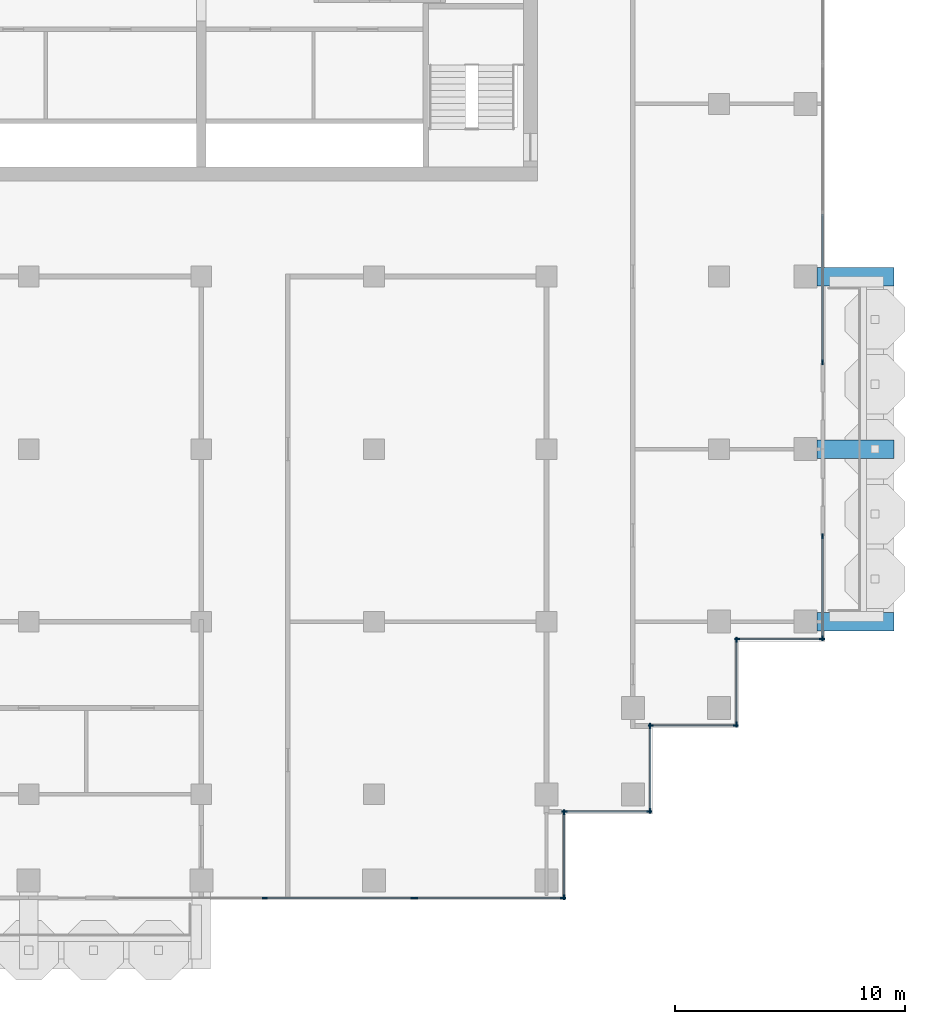
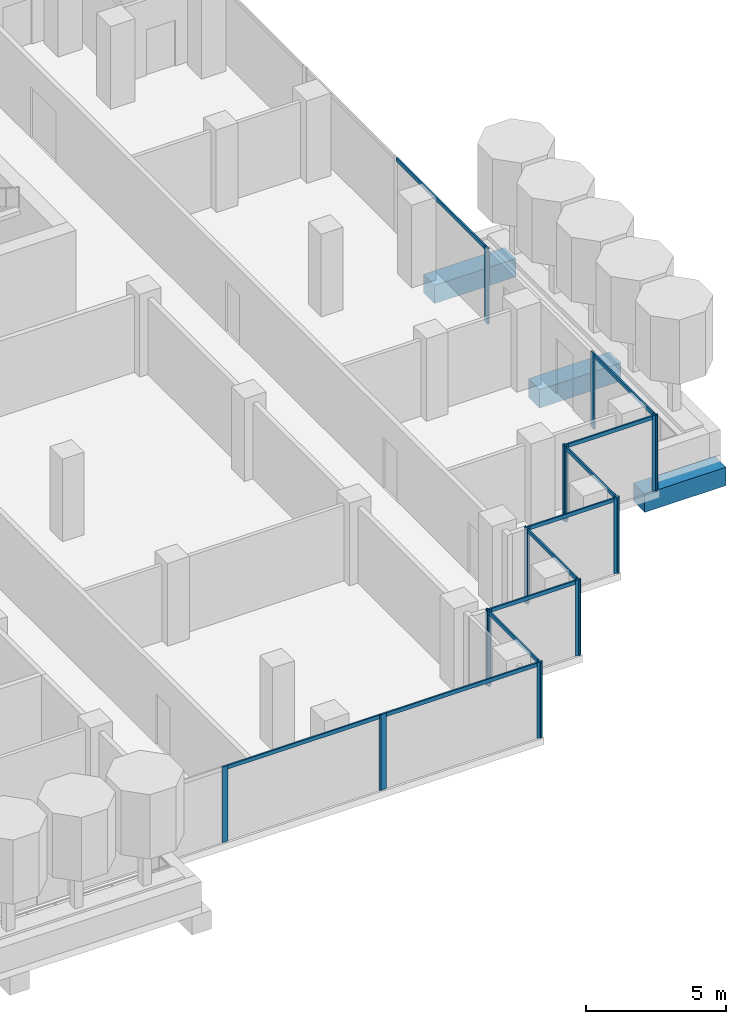
# One storey, part 4 of 17: 29 members, 3 beams, 10 elements without a shape of their own.
"""IFC4 building model written with IfcOpenShell, lengths in metres."""

from ifc_helpers import new_model, si_unit, direction, frame, origin, origin_2d, place, context, subcontext, project, spatial, rectangle, extrude, material, material_profile, profile_set, type_object, element, aggregate, save


model = new_model("IFC4")

# Units and contexts
model_context = context("Model", 3, precision=1e-05, world=origin(), true_north=direction((0.0, 1.0)))
body_context = subcontext(model_context, "Body", "Model", "MODEL_VIEW")
ifc_project = project(units=[si_unit("LENGTHUNIT", "METRE"), si_unit("AREAUNIT", "SQUARE_METRE"), si_unit("VOLUMEUNIT", "CUBIC_METRE"), si_unit("PLANEANGLEUNIT", "RADIAN"), si_unit("MASSUNIT", "GRAM", prefix="KILO")], contexts=[model_context])

# Site, building, storey
site_placement = place(None, origin())
site = spatial("IfcSite", under=ifc_project, at=site_placement, CompositionType="ELEMENT")
building_placement = place(site_placement, origin())
building = spatial("IfcBuilding", under=site, at=building_placement, Name="Pilkhan Gate Tower", CompositionType="ELEMENT")
storey_placement = place(building_placement, frame((0.0, 0.0, 206.699951171875)))
storey = spatial("IfcBuildingStorey", under=building, at=storey_placement, Name="L53", CompositionType="ELEMENT", Elevation=206.699951171875)

# Beams
ifc_material_1 = material(Name="Concrete C50/60", Category="concrete")
ifc_material_profile_1 = material_profile(ifc_material_1, rectangle(XDim=0.800048828125, YDim=0.800048828125, at=origin_2d()), Name="RC 800x800")
ifc_profile_set_1 = profile_set([ifc_material_profile_1], Name="Concrete C50/60")
beam_type = type_object("IfcBeamType", Name="Cantilever beam CB2 RC 800x800 C50/60", PredefinedType="BEAM", material=ifc_profile_set_1)
for number, where, z_axis, x_axis, name in (
    (1, (101.75, 52.5, -0.699951171875), (1.0, 0.0, 0.0), (0.0, 1.0, 0.0), "Balcony beam E.1 L53"),
    (2, (101.75, 60.0, -0.699951171875), (1.0, 0.0, 0.0), (0.0, 1.0, 0.0), "Balcony beam E.2 L53"),
    (3, (101.75, 67.5, -0.699951171875), (1.0, 0.0, 0.0), (0.0, 1.0, 0.0), "Balcony beam E.3 L53"),
):
    element("IfcBeam", number, at=place(storey_placement, frame(where, z_axis=z_axis, x_axis=x_axis)), inside=storey, type_object=beam_type, Name=name, PredefinedType="BEAM", context=body_context, shape_type="SweptSolid", body=[
        extrude(rectangle(XDim=0.800048828125, YDim=0.800048828125, at=origin_2d()), origin(), (0.0, 0.0, 1.0), 3.35009765625),
    ])

# Curtain wall, members
ifc_material_2 = material(Name="Pale anodised aluminium, clear low-iron double glazing", Category="aluminium")
curtain_wall_type = type_object("IfcCurtainWallType", Name="Office unitised curtain wall CW-O2", PredefinedType="USERDEFINED", material=ifc_material_2)
curtain_wall_1_placement = place(storey_placement, origin())
curtain_wall_1 = element("IfcCurtainWall", 4, at=curtain_wall_1_placement, inside=storey, type_object=curtain_wall_type, Name="Office unitised curtain wall CW-O2 L53 E", ObjectType="UNITISED CURTAIN WALL", PredefinedType="USERDEFINED")
ifc_material_3 = material(Name="Pale anodised aluminium", Category="aluminium")
ifc_material_profile_2 = material_profile(ifc_material_3, rectangle(XDim=0.06494140625, YDim=0.22509765625, at=origin_2d()), Name="Mullion 225x65")
ifc_profile_set_2 = profile_set([ifc_material_profile_2], Name="Pale anodised aluminium")
member_type_1 = type_object("IfcMemberType", Name="Mullion CW-O2 225x65", PredefinedType="MULLION", material=ifc_profile_set_2)
member_1_placement = place(storey_placement, frame((102.0, 51.782470703125, 0.0), z_axis=(0.0, 0.0, 1.0), x_axis=(-1.0, 0.0, 0.0)))
member_1 = element("IfcMember", 5, at=member_1_placement, type_object=member_type_1, Name="CW-O2 mullion 1", PredefinedType="MULLION", context=body_context, shape_type="SweptSolid", body=[
    extrude(rectangle(XDim=0.06494140625, YDim=0.22509765625, at=origin_2d()), origin(), (0.0, 0.0, 1.0), 3.300048828125),
])
member_2_placement = place(storey_placement, frame((102.0, 56.217529296875, 0.0), z_axis=(0.0, 0.0, 1.0), x_axis=(-1.0, 0.0, 0.0)))
member_2 = element("IfcMember", 6, at=member_2_placement, type_object=member_type_1, Name="CW-O2 mullion 2", PredefinedType="MULLION", context=body_context, shape_type="SweptSolid", body=[
    extrude(rectangle(XDim=0.06494140625, YDim=0.22509765625, at=origin_2d()), origin(), (0.0, 0.0, 1.0), 3.300048828125),
])

# Curtain wall, member
curtain_wall_2_placement = place(storey_placement, origin())
curtain_wall_2 = element("IfcCurtainWall", 7, at=curtain_wall_2_placement, inside=storey, type_object=curtain_wall_type, Name="Office unitised curtain wall CW-O2 L53 E", ObjectType="UNITISED CURTAIN WALL", PredefinedType="USERDEFINED")
member_3_placement = place(storey_placement, frame((102.0, 63.782470703125, 0.0), z_axis=(0.0, 0.0, 1.0), x_axis=(-1.0, 0.0, 0.0)))
member_3 = element("IfcMember", 8, at=member_3_placement, type_object=member_type_1, Name="CW-O2 mullion 1", PredefinedType="MULLION", context=body_context, shape_type="SweptSolid", body=[
    extrude(rectangle(XDim=0.06494140625, YDim=0.22509765625, at=origin_2d()), origin(), (0.0, 0.0, 1.0), 3.300048828125),
])

# Curtain wall, members
curtain_wall_3_placement = place(storey_placement, origin())
curtain_wall_3 = element("IfcCurtainWall", 9, at=curtain_wall_3_placement, inside=storey, type_object=curtain_wall_type, Name="Office unitised curtain wall CW-O2 L53 S", ObjectType="UNITISED CURTAIN WALL", PredefinedType="USERDEFINED")
member_4_placement = place(storey_placement, frame((77.75, 40.5, 0.0), z_axis=(0.0, 0.0, 1.0), x_axis=(0.0, 1.0, 0.0)))
member_4 = element("IfcMember", 10, at=member_4_placement, type_object=member_type_1, Name="CW-O2 mullion 2", PredefinedType="MULLION", context=body_context, shape_type="SweptSolid", body=[
    extrude(rectangle(XDim=0.06494140625, YDim=0.22509765625, at=origin_2d()), origin(), (0.0, 0.0, 1.0), 3.300048828125),
])
member_5_placement = place(storey_placement, frame((84.217529296875, 40.5, 0.0), z_axis=(0.0, 0.0, 1.0), x_axis=(0.0, 1.0, 0.0)))
member_5 = element("IfcMember", 11, at=member_5_placement, type_object=member_type_1, Name="CW-O2 mullion 3", PredefinedType="MULLION", context=body_context, shape_type="SweptSolid", body=[
    extrude(rectangle(XDim=0.06494140625, YDim=0.22509765625, at=origin_2d()), origin(), (0.0, 0.0, 1.0), 3.300048828125),
])

curtain_wall_4_placement = place(storey_placement, origin())
curtain_wall_4 = element("IfcCurtainWall", 12, at=curtain_wall_4_placement, inside=storey, type_object=curtain_wall_type, Name="Office unitised curtain wall CW-O2 L53 S", ObjectType="UNITISED CURTAIN WALL", PredefinedType="USERDEFINED")
member_6_placement = place(storey_placement, frame((84.282470703125, 40.5, 0.0), z_axis=(0.0, 0.0, 1.0), x_axis=(0.0, 1.0, 0.0)))
member_6 = element("IfcMember", 13, at=member_6_placement, type_object=member_type_1, Name="CW-O2 mullion 1", PredefinedType="MULLION", context=body_context, shape_type="SweptSolid", body=[
    extrude(rectangle(XDim=0.06494140625, YDim=0.22509765625, at=origin_2d()), origin(), (0.0, 0.0, 1.0), 3.300048828125),
])
member_7_placement = place(storey_placement, frame((90.717529296875, 40.5, 0.0), z_axis=(0.0, 0.0, 1.0), x_axis=(0.0, 1.0, 0.0)))
member_7 = element("IfcMember", 14, at=member_7_placement, type_object=member_type_1, Name="CW-O2 mullion 2", PredefinedType="MULLION", context=body_context, shape_type="SweptSolid", body=[
    extrude(rectangle(XDim=0.06494140625, YDim=0.22509765625, at=origin_2d()), origin(), (0.0, 0.0, 1.0), 3.300048828125),
])

curtain_wall_5_placement = place(storey_placement, origin())
curtain_wall_5 = element("IfcCurtainWall", 15, at=curtain_wall_5_placement, inside=storey, type_object=curtain_wall_type, Name="Office unitised curtain wall CW-O2 L53 E", ObjectType="UNITISED CURTAIN WALL", PredefinedType="USERDEFINED")
member_8_placement = place(storey_placement, frame((90.75, 40.532470703125, 0.0), z_axis=(0.0, 0.0, 1.0), x_axis=(-1.0, 0.0, 0.0)))
member_8 = element("IfcMember", 16, at=member_8_placement, type_object=member_type_1, Name="CW-O2 mullion 1", PredefinedType="MULLION", context=body_context, shape_type="SweptSolid", body=[
    extrude(rectangle(XDim=0.06494140625, YDim=0.22509765625, at=origin_2d()), origin(), (0.0, 0.0, 1.0), 3.300048828125),
])
member_9_placement = place(storey_placement, frame((90.75, 44.217529296875, 0.0), z_axis=(0.0, 0.0, 1.0), x_axis=(-1.0, 0.0, 0.0)))
member_9 = element("IfcMember", 17, at=member_9_placement, type_object=member_type_1, Name="CW-O2 mullion 2", PredefinedType="MULLION", context=body_context, shape_type="SweptSolid", body=[
    extrude(rectangle(XDim=0.06494140625, YDim=0.22509765625, at=origin_2d()), origin(), (0.0, 0.0, 1.0), 3.300048828125),
])

curtain_wall_6_placement = place(storey_placement, origin())
curtain_wall_6 = element("IfcCurtainWall", 18, at=curtain_wall_6_placement, inside=storey, type_object=curtain_wall_type, Name="Office unitised curtain wall CW-O2 L53 S", ObjectType="UNITISED CURTAIN WALL", PredefinedType="USERDEFINED")
member_10_placement = place(storey_placement, frame((90.782470703125, 44.25, 0.0), z_axis=(0.0, 0.0, 1.0), x_axis=(0.0, 1.0, 0.0)))
member_10 = element("IfcMember", 19, at=member_10_placement, type_object=member_type_1, Name="CW-O2 mullion 1", PredefinedType="MULLION", context=body_context, shape_type="SweptSolid", body=[
    extrude(rectangle(XDim=0.06494140625, YDim=0.22509765625, at=origin_2d()), origin(), (0.0, 0.0, 1.0), 3.300048828125),
])
member_11_placement = place(storey_placement, frame((94.467529296875, 44.25, 0.0), z_axis=(0.0, 0.0, 1.0), x_axis=(0.0, 1.0, 0.0)))
member_11 = element("IfcMember", 20, at=member_11_placement, type_object=member_type_1, Name="CW-O2 mullion 2", PredefinedType="MULLION", context=body_context, shape_type="SweptSolid", body=[
    extrude(rectangle(XDim=0.06494140625, YDim=0.22509765625, at=origin_2d()), origin(), (0.0, 0.0, 1.0), 3.300048828125),
])

curtain_wall_7_placement = place(storey_placement, origin())
curtain_wall_7 = element("IfcCurtainWall", 21, at=curtain_wall_7_placement, inside=storey, type_object=curtain_wall_type, Name="Office unitised curtain wall CW-O2 L53 E", ObjectType="UNITISED CURTAIN WALL", PredefinedType="USERDEFINED")
member_12_placement = place(storey_placement, frame((94.5, 44.282470703125, 0.0), z_axis=(0.0, 0.0, 1.0), x_axis=(-1.0, 0.0, 0.0)))
member_12 = element("IfcMember", 22, at=member_12_placement, type_object=member_type_1, Name="CW-O2 mullion 1", PredefinedType="MULLION", context=body_context, shape_type="SweptSolid", body=[
    extrude(rectangle(XDim=0.06494140625, YDim=0.22509765625, at=origin_2d()), origin(), (0.0, 0.0, 1.0), 3.300048828125),
])
member_13_placement = place(storey_placement, frame((94.5, 47.967529296875, 0.0), z_axis=(0.0, 0.0, 1.0), x_axis=(-1.0, 0.0, 0.0)))
member_13 = element("IfcMember", 23, at=member_13_placement, type_object=member_type_1, Name="CW-O2 mullion 2", PredefinedType="MULLION", context=body_context, shape_type="SweptSolid", body=[
    extrude(rectangle(XDim=0.06494140625, YDim=0.22509765625, at=origin_2d()), origin(), (0.0, 0.0, 1.0), 3.300048828125),
])

curtain_wall_8_placement = place(storey_placement, origin())
curtain_wall_8 = element("IfcCurtainWall", 24, at=curtain_wall_8_placement, inside=storey, type_object=curtain_wall_type, Name="Office unitised curtain wall CW-O2 L53 S", ObjectType="UNITISED CURTAIN WALL", PredefinedType="USERDEFINED")
member_14_placement = place(storey_placement, frame((94.532470703125, 48.0, 0.0), z_axis=(0.0, 0.0, 1.0), x_axis=(0.0, 1.0, 0.0)))
member_14 = element("IfcMember", 25, at=member_14_placement, type_object=member_type_1, Name="CW-O2 mullion 1", PredefinedType="MULLION", context=body_context, shape_type="SweptSolid", body=[
    extrude(rectangle(XDim=0.06494140625, YDim=0.22509765625, at=origin_2d()), origin(), (0.0, 0.0, 1.0), 3.300048828125),
])
member_15_placement = place(storey_placement, frame((98.217529296875, 48.0, 0.0), z_axis=(0.0, 0.0, 1.0), x_axis=(0.0, 1.0, 0.0)))
member_15 = element("IfcMember", 26, at=member_15_placement, type_object=member_type_1, Name="CW-O2 mullion 2", PredefinedType="MULLION", context=body_context, shape_type="SweptSolid", body=[
    extrude(rectangle(XDim=0.06494140625, YDim=0.22509765625, at=origin_2d()), origin(), (0.0, 0.0, 1.0), 3.300048828125),
])

curtain_wall_9_placement = place(storey_placement, origin())
curtain_wall_9 = element("IfcCurtainWall", 27, at=curtain_wall_9_placement, inside=storey, type_object=curtain_wall_type, Name="Office unitised curtain wall CW-O2 L53 E", ObjectType="UNITISED CURTAIN WALL", PredefinedType="USERDEFINED")
member_16_placement = place(storey_placement, frame((98.25, 48.032470703125, 0.0), z_axis=(0.0, 0.0, 1.0), x_axis=(-1.0, 0.0, 0.0)))
member_16 = element("IfcMember", 28, at=member_16_placement, type_object=member_type_1, Name="CW-O2 mullion 1", PredefinedType="MULLION", context=body_context, shape_type="SweptSolid", body=[
    extrude(rectangle(XDim=0.06494140625, YDim=0.22509765625, at=origin_2d()), origin(), (0.0, 0.0, 1.0), 3.300048828125),
])
member_17_placement = place(storey_placement, frame((98.25, 51.717529296875, 0.0), z_axis=(0.0, 0.0, 1.0), x_axis=(-1.0, 0.0, 0.0)))
member_17 = element("IfcMember", 29, at=member_17_placement, type_object=member_type_1, Name="CW-O2 mullion 2", PredefinedType="MULLION", context=body_context, shape_type="SweptSolid", body=[
    extrude(rectangle(XDim=0.06494140625, YDim=0.22509765625, at=origin_2d()), origin(), (0.0, 0.0, 1.0), 3.300048828125),
])

curtain_wall_10_placement = place(storey_placement, origin())
curtain_wall_10 = element("IfcCurtainWall", 30, at=curtain_wall_10_placement, inside=storey, type_object=curtain_wall_type, Name="Office unitised curtain wall CW-O2 L53 S", ObjectType="UNITISED CURTAIN WALL", PredefinedType="USERDEFINED")
member_18_placement = place(storey_placement, frame((98.282470703125, 51.75, 0.0), z_axis=(0.0, 0.0, 1.0), x_axis=(0.0, 1.0, 0.0)))
member_18 = element("IfcMember", 31, at=member_18_placement, type_object=member_type_1, Name="CW-O2 mullion 1", PredefinedType="MULLION", context=body_context, shape_type="SweptSolid", body=[
    extrude(rectangle(XDim=0.06494140625, YDim=0.22509765625, at=origin_2d()), origin(), (0.0, 0.0, 1.0), 3.300048828125),
])
member_19_placement = place(storey_placement, frame((101.967529296875, 51.75, 0.0), z_axis=(0.0, 0.0, 1.0), x_axis=(0.0, 1.0, 0.0)))
member_19 = element("IfcMember", 32, at=member_19_placement, type_object=member_type_1, Name="CW-O2 mullion 2", PredefinedType="MULLION", context=body_context, shape_type="SweptSolid", body=[
    extrude(rectangle(XDim=0.06494140625, YDim=0.22509765625, at=origin_2d()), origin(), (0.0, 0.0, 1.0), 3.300048828125),
])

# Member
ifc_material_profile_3 = material_profile(ifc_material_3, rectangle(XDim=0.06494140625, YDim=0.1650390625, at=origin_2d()), Name="Transom 165x65")
ifc_profile_set_3 = profile_set([ifc_material_profile_3], Name="Pale anodised aluminium")
member_type_2 = type_object("IfcMemberType", Name="Transom CW-O2 165x65", PredefinedType="USERDEFINED", material=ifc_profile_set_3)
member_20_placement = place(storey_placement, frame((102.0, 51.81494140625, 3.217529296875), z_axis=(0.0, 1.0, 0.0), x_axis=(-1.0, 0.0, 0.0)))
member_20 = element("IfcMember", 33, at=member_20_placement, type_object=member_type_2, Name="CW-O2 transom 1", ObjectType="TRANSOM", PredefinedType="USERDEFINED", context=body_context, shape_type="SweptSolid", body=[
    extrude(rectangle(XDim=0.06494140625, YDim=0.1650390625, at=origin_2d()), origin(), (0.0, 0.0, 1.0), 4.3701171875),
])

aggregate(curtain_wall_1, [member_1, member_2, member_20])

member_21_placement = place(storey_placement, frame((102.0, 63.81494140625, 3.217529296875), z_axis=(0.0, 1.0, 0.0), x_axis=(-1.0, 0.0, 0.0)))
member_21 = element("IfcMember", 34, at=member_21_placement, type_object=member_type_2, Name="CW-O2 transom 1", ObjectType="TRANSOM", PredefinedType="USERDEFINED", context=body_context, shape_type="SweptSolid", body=[
    extrude(rectangle(XDim=0.06494140625, YDim=0.1650390625, at=origin_2d()), origin(), (0.0, 0.0, 1.0), 6.402587890625),
])

aggregate(curtain_wall_2, [member_3, member_21])

member_22_placement = place(storey_placement, frame((77.782470703125, 40.5, 3.217529296875), z_axis=(1.0, 0.0, 0.0), x_axis=(0.0, 1.0, 0.0)))
member_22 = element("IfcMember", 35, at=member_22_placement, type_object=member_type_2, Name="CW-O2 transom 2", ObjectType="TRANSOM", PredefinedType="USERDEFINED", context=body_context, shape_type="SweptSolid", body=[
    extrude(rectangle(XDim=0.06494140625, YDim=0.1650390625, at=origin_2d()), origin(), (0.0, 0.0, 1.0), 6.402587890625),
])

aggregate(curtain_wall_3, [member_4, member_5, member_22])

member_23_placement = place(storey_placement, frame((84.31494140625, 40.5, 3.217529296875), z_axis=(1.0, 0.0, 0.0), x_axis=(0.0, 1.0, 0.0)))
member_23 = element("IfcMember", 36, at=member_23_placement, type_object=member_type_2, Name="CW-O2 transom 1", ObjectType="TRANSOM", PredefinedType="USERDEFINED", context=body_context, shape_type="SweptSolid", body=[
    extrude(rectangle(XDim=0.06494140625, YDim=0.1650390625, at=origin_2d()), origin(), (0.0, 0.0, 1.0), 6.3701171875),
])

aggregate(curtain_wall_4, [member_6, member_7, member_23])

member_24_placement = place(storey_placement, frame((90.75, 40.56494140625, 3.217529296875), z_axis=(0.0, 1.0, 0.0), x_axis=(-1.0, 0.0, 0.0)))
member_24 = element("IfcMember", 37, at=member_24_placement, type_object=member_type_2, Name="CW-O2 transom 1", ObjectType="TRANSOM", PredefinedType="USERDEFINED", context=body_context, shape_type="SweptSolid", body=[
    extrude(rectangle(XDim=0.06494140625, YDim=0.1650390625, at=origin_2d()), origin(), (0.0, 0.0, 1.0), 3.6201171875),
])

aggregate(curtain_wall_5, [member_8, member_9, member_24])

member_25_placement = place(storey_placement, frame((90.81494140625, 44.25, 3.217529296875), z_axis=(1.0, 0.0, 0.0), x_axis=(0.0, 1.0, 0.0)))
member_25 = element("IfcMember", 38, at=member_25_placement, type_object=member_type_2, Name="CW-O2 transom 1", ObjectType="TRANSOM", PredefinedType="USERDEFINED", context=body_context, shape_type="SweptSolid", body=[
    extrude(rectangle(XDim=0.06494140625, YDim=0.1650390625, at=origin_2d()), origin(), (0.0, 0.0, 1.0), 3.6201171875),
])

aggregate(curtain_wall_6, [member_10, member_11, member_25])

member_26_placement = place(storey_placement, frame((94.5, 44.31494140625, 3.217529296875), z_axis=(0.0, 1.0, 0.0), x_axis=(-1.0, 0.0, 0.0)))
member_26 = element("IfcMember", 39, at=member_26_placement, type_object=member_type_2, Name="CW-O2 transom 1", ObjectType="TRANSOM", PredefinedType="USERDEFINED", context=body_context, shape_type="SweptSolid", body=[
    extrude(rectangle(XDim=0.06494140625, YDim=0.1650390625, at=origin_2d()), origin(), (0.0, 0.0, 1.0), 3.6201171875),
])

aggregate(curtain_wall_7, [member_12, member_13, member_26])

member_27_placement = place(storey_placement, frame((94.56494140625, 48.0, 3.217529296875), z_axis=(1.0, 0.0, 0.0), x_axis=(0.0, 1.0, 0.0)))
member_27 = element("IfcMember", 40, at=member_27_placement, type_object=member_type_2, Name="CW-O2 transom 1", ObjectType="TRANSOM", PredefinedType="USERDEFINED", context=body_context, shape_type="SweptSolid", body=[
    extrude(rectangle(XDim=0.06494140625, YDim=0.1650390625, at=origin_2d()), origin(), (0.0, 0.0, 1.0), 3.6201171875),
])

aggregate(curtain_wall_8, [member_14, member_15, member_27])

member_28_placement = place(storey_placement, frame((98.25, 48.06494140625, 3.217529296875), z_axis=(0.0, 1.0, 0.0), x_axis=(-1.0, 0.0, 0.0)))
member_28 = element("IfcMember", 41, at=member_28_placement, type_object=member_type_2, Name="CW-O2 transom 1", ObjectType="TRANSOM", PredefinedType="USERDEFINED", context=body_context, shape_type="SweptSolid", body=[
    extrude(rectangle(XDim=0.06494140625, YDim=0.1650390625, at=origin_2d()), origin(), (0.0, 0.0, 1.0), 3.6201171875),
])

aggregate(curtain_wall_9, [member_16, member_17, member_28])

member_29_placement = place(storey_placement, frame((98.31494140625, 51.75, 3.217529296875), z_axis=(1.0, 0.0, 0.0), x_axis=(0.0, 1.0, 0.0)))
member_29 = element("IfcMember", 42, at=member_29_placement, type_object=member_type_2, Name="CW-O2 transom 1", ObjectType="TRANSOM", PredefinedType="USERDEFINED", context=body_context, shape_type="SweptSolid", body=[
    extrude(rectangle(XDim=0.06494140625, YDim=0.1650390625, at=origin_2d()), origin(), (0.0, 0.0, 1.0), 3.6201171875),
])

aggregate(curtain_wall_10, [member_18, member_19, member_29])

save(model, "model.ifc")
